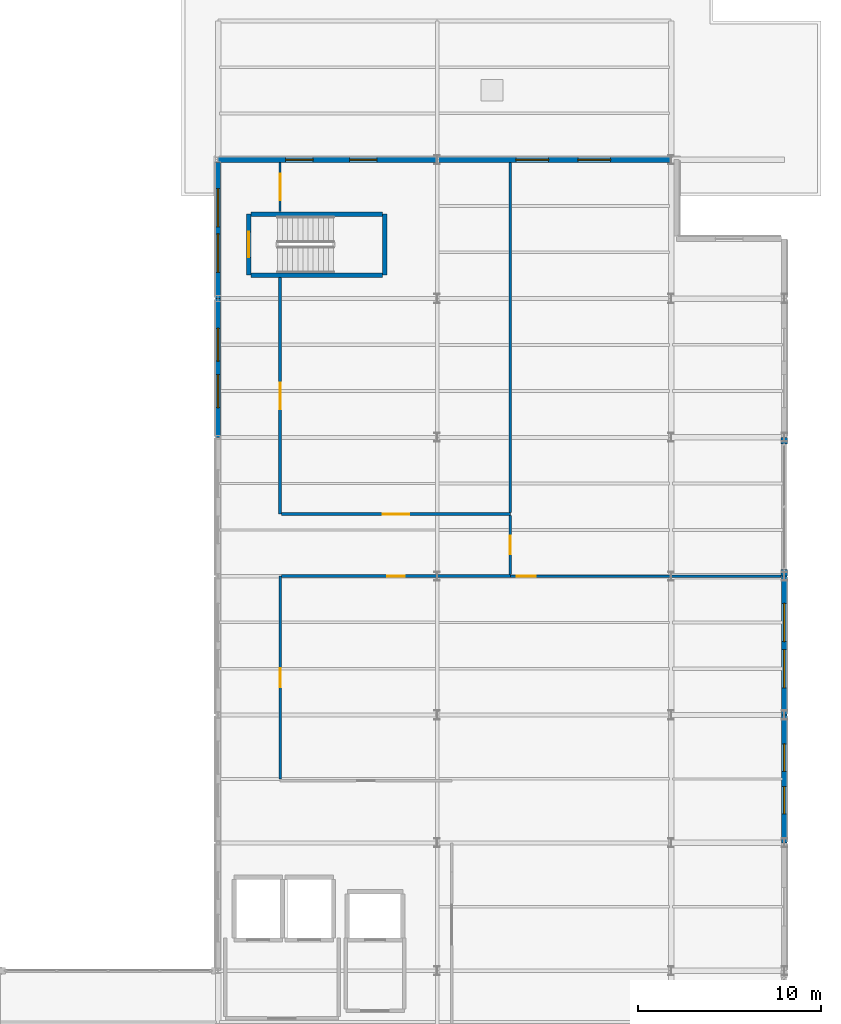
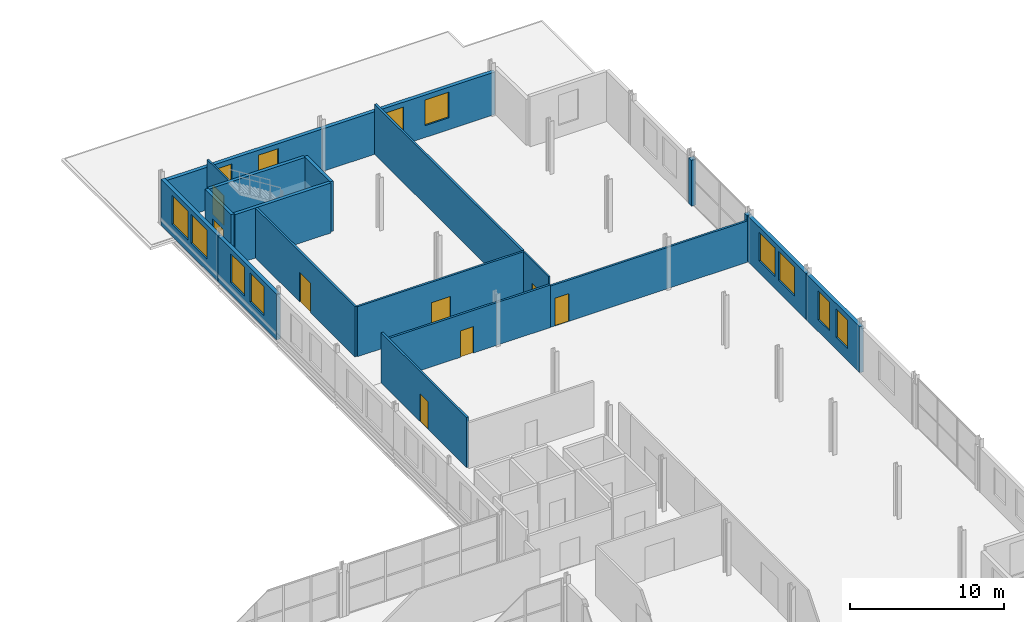
# One storey, part 88 of 101: 20 walls, 12 windows, 8 doors, 20 openings.
"""IFC4 building model written with IfcOpenShell, lengths in metres."""

from ifc_helpers import new_model, si_unit, direction, frame, frame_2d, origin, place, context, subcontext, project, spatial, rectangle, extrude, material, layer, layer_set, type_object, element, fill, save


model = new_model("IFC4")

# Units and contexts
model_context = context("Model", 3, precision=1e-05, world=origin(), true_north=direction((0.0, 1.0)))
body_context = subcontext(model_context, "Body", "Model", "MODEL_VIEW")
ifc_project = project(units=[si_unit("LENGTHUNIT", "METRE"), si_unit("AREAUNIT", "SQUARE_METRE"), si_unit("VOLUMEUNIT", "CUBIC_METRE"), si_unit("PLANEANGLEUNIT", "RADIAN"), si_unit("MASSUNIT", "GRAM", prefix="KILO")], contexts=[model_context])

# Site, building, storey
site_placement = place(None, origin())
site = spatial("IfcSite", under=ifc_project, at=site_placement, CompositionType="ELEMENT")
building_placement = place(site_placement, origin())
building = spatial("IfcBuilding", under=site, at=building_placement, Name="Vekula Escarpment Museum", CompositionType="ELEMENT")
storey_placement = place(building_placement, frame((0.0, 0.0, 18.0)))
storey = spatial("IfcBuildingStorey", under=building, at=storey_placement, Name="L04", CompositionType="ELEMENT", Elevation=18.0)

# Walls
ifc_material_1 = material(Name="Inkisi arkosic sandstone masonry", Category="masonry")
ifc_layer_1 = layer(ifc_material_1, 0.35009765625)
ifc_layer_set_1 = layer_set([ifc_layer_1], Name="Inkisi arkosic sandstone masonry")
wall_type_1 = type_object("IfcWallType", Name="WL-ALM-350", PredefinedType="SOLIDWALL", material=ifc_layer_set_1)
for number, where, z_axis, x_axis, name in (
    (1, (198.0, 98.0, 0.0), (0.0, 0.0, 1.0), (0.0, 1.0, 0.0), "Facade Jamb Pier L04-0735A"),
    (2, (198.0, 105.239990234375, 0.0), (0.0, 0.0, 1.0), (0.0, 1.0, 0.0), "Facade Jamb Pier L04-0736B"),
):
    element("IfcWall", number, at=place(storey_placement, frame(where, z_axis=z_axis, x_axis=x_axis)), inside=storey, type_object=wall_type_1, Name=name, PredefinedType="SOLIDWALL", context=body_context, shape_type="SweptSolid", body=[
        extrude(rectangle(XDim=0.360107421875, YDim=0.35009765625, at=frame_2d((0.18017578125, 0.0))), origin(), (0.0, 0.0, 1.0), 3.64501953125),
    ])

# Wall, opening, door
ifc_material_2 = material(Name="Concrete C35/45", Category="concrete")
ifc_layer_2 = layer(ifc_material_2, 0.25)
ifc_layer_set_2 = layer_set([ifc_layer_2], Name="Concrete C35/45")
wall_type_2 = type_object("IfcWallType", Name="WL-CORE-250", PredefinedType="SHEAR", material=ifc_layer_set_2)
wall_1_placement = place(storey_placement, frame((168.675048828125, 114.47509765625, 0.0), z_axis=(0.0, 0.0, 1.0), x_axis=(0.0, 1.0, 0.0)))
wall_1 = element("IfcWall", 3, at=wall_1_placement, inside=storey, type_object=wall_type_2, Name="Stair Core Wall ST-05 L04 W", PredefinedType="SHEAR", context=body_context, shape_type="SweptSolid", body=[
    extrude(rectangle(XDim=3.349853515625, YDim=0.25, at=frame_2d((1.6748046875, 0.0))), origin(), (0.0, 0.0, 1.0), 3.97998046875),
])
opening_1_placement = place(wall_1_placement, frame((0.97509765625, 0.0, 0.0)))
opening_1 = element("IfcOpeningElement", 4, at=opening_1_placement, cuts=wall_1, Name="Opening DR-FD60", PredefinedType="OPENING", context=body_context, shape_type="SweptSolid", body=[
    extrude(rectangle(XDim=1.39990234375, YDim=2.199951171875, at=frame_2d((0.699951171875, 1.10009765625))), frame((0.0, 0.135009765625, 0.0), z_axis=(0.0, -1.0, 0.0), x_axis=(1.0, 0.0, 0.0)), (0.0, 0.0, 1.0), 0.27001953125),
])
ifc_material_3 = material(Name="Fire-rated steel stair door", Category="steel")
door_type_1 = type_object("IfcDoorType", Name="DR-STAIR-1400x2200", OperationType="NOTDEFINED", PredefinedType="DOOR", material=ifc_material_3)
door_1_placement = place(opening_1_placement, origin())
door_1 = element("IfcDoor", 5, at=door_1_placement, inside=storey, type_object=door_type_1, Name="Protected Exit Stair Door ST-05 L04", OperationType="SINGLE_SWING_LEFT", OverallHeight=2.199951171875, OverallWidth=1.39990234375, PredefinedType="DOOR", context=body_context, shape_type="SweptSolid", body=[
    extrude(rectangle(XDim=1.39990234375, YDim=2.199951171875, at=frame_2d((0.699951171875, 1.10009765625))), frame((0.0, 0.02490234375, 0.0), z_axis=(0.0, -1.0, 0.0), x_axis=(1.0, 0.0, 0.0)), (0.0, 0.0, 1.0), 0.050048828125),
])
fill(opening_1, door_1)

# Walls
wall_2_placement = place(storey_placement, frame((176.125, 114.47509765625, 0.0), z_axis=(0.0, 0.0, 1.0), x_axis=(0.0, 1.0, 0.0)))
element("IfcWall", 6, at=wall_2_placement, inside=storey, type_object=wall_type_2, Name="Stair Core Wall ST-05 L04 E", PredefinedType="SHEAR", context=body_context, shape_type="SweptSolid", body=[
    extrude(rectangle(XDim=3.349853515625, YDim=0.25, at=frame_2d((1.6748046875, 0.0))), origin(), (0.0, 0.0, 1.0), 3.97998046875),
])
for number, where, z_axis, x_axis, name in (
    (7, (168.803955078125, 114.47509765625, 0.0), (0.0, 0.0, 1.0), (1.0, 0.0, 0.0), "Stair Core Wall ST-05 L04 S"),
    (8, (168.803955078125, 117.824951171875, 0.0), (0.0, 0.0, 1.0), (1.0, 0.0, 0.0), "Stair Core Wall ST-05 L04 N"),
):
    element("IfcWall", number, at=place(storey_placement, frame(where, z_axis=z_axis, x_axis=x_axis)), inside=storey, type_object=wall_type_2, Name=name, PredefinedType="SHEAR", context=body_context, shape_type="SweptSolid", body=[
        extrude(rectangle(XDim=7.192138671875, YDim=0.25, at=frame_2d((3.59619140625, 0.0))), origin(), (0.0, 0.0, 1.0), 3.97998046875),
    ])

# Wall, openings, windows
ifc_material_4 = material(Name="Inkisi arkosic sandstone masonry", Category="masonry")
ifc_layer_3 = layer(ifc_material_4, 0.280029296875)
ifc_layer_set_3 = layer_set([ifc_layer_3], Name="Inkisi arkosic sandstone masonry")
wall_type_3 = type_object("IfcWallType", Name="WL-CUM-280", PredefinedType="SOLIDWALL", material=ifc_layer_set_3)
wall_3_placement = place(storey_placement, frame((198.0, 90.39990234375, 0.0), z_axis=(0.0, 0.0, 1.0), x_axis=(0.0, -1.0, 0.0)))
wall_3 = element("IfcWall", 9, at=wall_3_placement, inside=storey, type_object=wall_type_3, Name="Exterior Wall WL-EXT-L04-0733", PredefinedType="SOLIDWALL", context=body_context, shape_type="SweptSolid", body=[
    extrude(rectangle(XDim=7.0, YDim=0.280029296875, at=frame_2d((3.5, 0.0))), origin(), (0.0, 0.0, 1.0), 3.64501953125),
])
opening_2_placement = place(wall_3_placement, frame((1.583251953125, 0.0, 0.949951171875)))
opening_2 = element("IfcOpeningElement", 10, at=opening_2_placement, cuts=wall_3, Name="Opening WN-06", PredefinedType="OPENING", context=body_context, shape_type="SweptSolid", body=[
    extrude(rectangle(XDim=1.5, YDim=2.2900390625, at=frame_2d((0.75, 1.14501953125))), frame((0.0, 0.14990234375, 0.0), z_axis=(0.0, -1.0, 0.0), x_axis=(1.0, 0.0, 0.0)), (0.0, 0.0, 1.0), 0.300048828125),
])
opening_3_placement = place(wall_3_placement, frame((3.916748046875, 0.0, 0.949951171875)))
opening_3 = element("IfcOpeningElement", 11, at=opening_3_placement, cuts=wall_3, Name="Opening WN-06", PredefinedType="OPENING", context=body_context, shape_type="SweptSolid", body=[
    extrude(rectangle(XDim=1.5, YDim=2.2900390625, at=frame_2d((0.75, 1.14501953125))), frame((0.0, 0.14990234375, 0.0), z_axis=(0.0, -1.0, 0.0), x_axis=(1.0, 0.0, 0.0)), (0.0, 0.0, 1.0), 0.300048828125),
])
ifc_material_5 = material(Name="Double solar-control low-E glass", Category="glass")
window_type_1 = type_object("IfcWindowType", Name="WN-CUMBA-15x24", PartitioningType="SINGLE_PANEL", PredefinedType="WINDOW", material=ifc_material_5)
window_1_placement = place(opening_2_placement, origin())
window_1 = element("IfcWindow", 12, at=window_1_placement, inside=storey, type_object=window_type_1, Name="Window L04-0379", OverallHeight=2.2900390625, OverallWidth=1.5, PartitioningType="SINGLE_PANEL", PredefinedType="WINDOW", context=body_context, shape_type="SweptSolid", body=[
    extrude(rectangle(XDim=1.5, YDim=2.2900390625, at=frame_2d((0.75, 1.14501953125))), frame((0.0, 0.030029296875, 0.0), z_axis=(0.0, -1.0, 0.0), x_axis=(1.0, 0.0, 0.0)), (0.0, 0.0, 1.0), 0.06005859375),
])
fill(opening_2, window_1)
window_2_placement = place(opening_3_placement, origin())
window_2 = element("IfcWindow", 13, at=window_2_placement, inside=storey, type_object=window_type_1, Name="Window L04-0380", OverallHeight=2.2900390625, OverallWidth=1.5, PartitioningType="SINGLE_PANEL", PredefinedType="WINDOW", context=body_context, shape_type="SweptSolid", body=[
    extrude(rectangle(XDim=1.5, YDim=2.2900390625, at=frame_2d((0.75, 1.14501953125))), frame((0.0, 0.030029296875, 0.0), z_axis=(0.0, -1.0, 0.0), x_axis=(1.0, 0.0, 0.0)), (0.0, 0.0, 1.0), 0.06005859375),
])
fill(opening_3, window_2)

wall_4_placement = place(storey_placement, frame((198.0, 98.0, 0.0), z_axis=(0.0, 0.0, 1.0), x_axis=(0.0, -1.0, 0.0)))
wall_4 = element("IfcWall", 14, at=wall_4_placement, inside=storey, type_object=wall_type_3, Name="Exterior Wall WL-EXT-L04-0734", PredefinedType="SOLIDWALL", context=body_context, shape_type="SweptSolid", body=[
    extrude(rectangle(XDim=7.60009765625, YDim=0.280029296875, at=frame_2d((3.800048828125, 0.0))), origin(), (0.0, 0.0, 1.0), 3.64501953125),
])
opening_4_placement = place(wall_4_placement, frame((1.4833984375, 0.0, 0.949951171875)))
opening_4 = element("IfcOpeningElement", 15, at=opening_4_placement, cuts=wall_4, Name="Opening WN-08", PredefinedType="OPENING", context=body_context, shape_type="SweptSolid", body=[
    extrude(rectangle(XDim=2.10009765625, YDim=2.2900390625, at=frame_2d((1.050048828125, 1.14501953125))), frame((0.0, 0.14990234375, 0.0), z_axis=(0.0, -1.0, 0.0), x_axis=(1.0, 0.0, 0.0)), (0.0, 0.0, 1.0), 0.300048828125),
])
opening_5_placement = place(wall_4_placement, frame((4.0166015625, 0.0, 0.949951171875)))
opening_5 = element("IfcOpeningElement", 16, at=opening_5_placement, cuts=wall_4, Name="Opening WN-08", PredefinedType="OPENING", context=body_context, shape_type="SweptSolid", body=[
    extrude(rectangle(XDim=2.10009765625, YDim=2.2900390625, at=frame_2d((1.050048828125, 1.14501953125))), frame((0.0, 0.14990234375, 0.0), z_axis=(0.0, -1.0, 0.0), x_axis=(1.0, 0.0, 0.0)), (0.0, 0.0, 1.0), 0.300048828125),
])
ifc_material_6 = material(Name="Double solar-control low-E glass", Category="glass")
window_type_2 = type_object("IfcWindowType", Name="WN-CUMBA-21x28", PartitioningType="DOUBLE_PANEL_VERTICAL", PredefinedType="WINDOW", material=ifc_material_6)
window_3_placement = place(opening_4_placement, origin())
window_3 = element("IfcWindow", 17, at=window_3_placement, inside=storey, type_object=window_type_2, Name="Window L04-0381", OverallHeight=2.2900390625, OverallWidth=2.10009765625, PartitioningType="SINGLE_PANEL", PredefinedType="WINDOW", context=body_context, shape_type="SweptSolid", body=[
    extrude(rectangle(XDim=2.10009765625, YDim=2.2900390625, at=frame_2d((1.050048828125, 1.14501953125))), frame((0.0, 0.030029296875, 0.0), z_axis=(0.0, -1.0, 0.0), x_axis=(1.0, 0.0, 0.0)), (0.0, 0.0, 1.0), 0.06005859375),
])
fill(opening_4, window_3)
window_4_placement = place(opening_5_placement, origin())
window_4 = element("IfcWindow", 18, at=window_4_placement, inside=storey, type_object=window_type_2, Name="Window L04-0382", OverallHeight=2.2900390625, OverallWidth=2.10009765625, PartitioningType="SINGLE_PANEL", PredefinedType="WINDOW", context=body_context, shape_type="SweptSolid", body=[
    extrude(rectangle(XDim=2.10009765625, YDim=2.2900390625, at=frame_2d((1.050048828125, 1.14501953125))), frame((0.0, 0.030029296875, 0.0), z_axis=(0.0, -1.0, 0.0), x_axis=(1.0, 0.0, 0.0)), (0.0, 0.0, 1.0), 0.06005859375),
])
fill(opening_5, window_4)

wall_5_placement = place(storey_placement, frame((179.0, 120.800048828125, 0.0), z_axis=(0.0, 0.0, 1.0), x_axis=(1.0, 0.0, 0.0)))
wall_5 = element("IfcWall", 19, at=wall_5_placement, inside=storey, type_object=wall_type_3, Name="Exterior Wall WL-EXT-L04-0741", PredefinedType="SOLIDWALL", context=body_context, shape_type="SweptSolid", body=[
    extrude(rectangle(XDim=12.966064453125, YDim=0.280029296875, at=frame_2d((6.48291015625, 0.0))), origin(), (0.0, 0.0, 1.0), 3.385009765625),
])
opening_6_placement = place(wall_5_placement, frame((4.300048828125, 0.0, 0.949951171875)))
opening_6 = element("IfcOpeningElement", 20, at=opening_6_placement, cuts=wall_5, Name="Opening WN-07", PredefinedType="OPENING", context=body_context, shape_type="SweptSolid", body=[
    extrude(rectangle(XDim=1.800048828125, YDim=2.0400390625, at=frame_2d((0.89990234375, 1.02001953125))), frame((0.0, 0.14990234375, 0.0), z_axis=(0.0, -1.0, 0.0), x_axis=(1.0, 0.0, 0.0)), (0.0, 0.0, 1.0), 0.300048828125),
])
opening_7_placement = place(wall_5_placement, frame((7.699951171875, 0.0, 0.949951171875)))
opening_7 = element("IfcOpeningElement", 21, at=opening_7_placement, cuts=wall_5, Name="Opening WN-07", PredefinedType="OPENING", context=body_context, shape_type="SweptSolid", body=[
    extrude(rectangle(XDim=1.800048828125, YDim=2.0400390625, at=frame_2d((0.89990234375, 1.02001953125))), frame((0.0, 0.14990234375, 0.0), z_axis=(0.0, -1.0, 0.0), x_axis=(1.0, 0.0, 0.0)), (0.0, 0.0, 1.0), 0.300048828125),
])
ifc_material_7 = material(Name="Double solar-control low-E glass", Category="glass")
window_type_3 = type_object("IfcWindowType", Name="WN-CUMBA-18x26", PartitioningType="DOUBLE_PANEL_VERTICAL", PredefinedType="WINDOW", material=ifc_material_7)
window_5_placement = place(opening_6_placement, origin())
window_5 = element("IfcWindow", 22, at=window_5_placement, inside=storey, type_object=window_type_3, Name="Window L04-0386", OverallHeight=2.0400390625, OverallWidth=1.800048828125, PartitioningType="SINGLE_PANEL", PredefinedType="WINDOW", context=body_context, shape_type="SweptSolid", body=[
    extrude(rectangle(XDim=1.800048828125, YDim=2.0400390625, at=frame_2d((0.89990234375, 1.02001953125))), frame((0.0, 0.030029296875, 0.0), z_axis=(0.0, -1.0, 0.0), x_axis=(1.0, 0.0, 0.0)), (0.0, 0.0, 1.0), 0.06005859375),
])
fill(opening_6, window_5)
window_6_placement = place(opening_7_placement, origin())
window_6 = element("IfcWindow", 23, at=window_6_placement, inside=storey, type_object=window_type_3, Name="Window L04-0387", OverallHeight=2.0400390625, OverallWidth=1.800048828125, PartitioningType="SINGLE_PANEL", PredefinedType="WINDOW", context=body_context, shape_type="SweptSolid", body=[
    extrude(rectangle(XDim=1.800048828125, YDim=2.0400390625, at=frame_2d((0.89990234375, 1.02001953125))), frame((0.0, 0.030029296875, 0.0), z_axis=(0.0, -1.0, 0.0), x_axis=(1.0, 0.0, 0.0)), (0.0, 0.0, 1.0), 0.06005859375),
])
fill(opening_7, window_6)

wall_6_placement = place(storey_placement, frame((167.0, 120.800048828125, 0.0), z_axis=(0.0, 0.0, 1.0), x_axis=(1.0, 0.0, 0.0)))
wall_6 = element("IfcWall", 24, at=wall_6_placement, inside=storey, type_object=wall_type_3, Name="Exterior Wall WL-EXT-L04-0742", PredefinedType="SOLIDWALL", context=body_context, shape_type="SweptSolid", body=[
    extrude(rectangle(XDim=12.0, YDim=0.280029296875, at=frame_2d((6.0, 0.0))), origin(), (0.0, 0.0, 1.0), 3.385009765625),
])
opening_8_placement = place(wall_6_placement, frame((3.699951171875, 0.0, 0.949951171875)))
opening_8 = element("IfcOpeningElement", 25, at=opening_8_placement, cuts=wall_6, Name="Opening WN-06", PredefinedType="OPENING", context=body_context, shape_type="SweptSolid", body=[
    extrude(rectangle(XDim=1.5, YDim=2.0400390625, at=frame_2d((0.75, 1.02001953125))), frame((0.0, 0.14990234375, 0.0), z_axis=(0.0, -1.0, 0.0), x_axis=(1.0, 0.0, 0.0)), (0.0, 0.0, 1.0), 0.300048828125),
])
opening_9_placement = place(wall_6_placement, frame((7.199951171875, 0.0, 0.949951171875)))
opening_9 = element("IfcOpeningElement", 26, at=opening_9_placement, cuts=wall_6, Name="Opening WN-06", PredefinedType="OPENING", context=body_context, shape_type="SweptSolid", body=[
    extrude(rectangle(XDim=1.5, YDim=2.0400390625, at=frame_2d((0.75, 1.02001953125))), frame((0.0, 0.14990234375, 0.0), z_axis=(0.0, -1.0, 0.0), x_axis=(1.0, 0.0, 0.0)), (0.0, 0.0, 1.0), 0.300048828125),
])
window_7_placement = place(opening_8_placement, origin())
window_7 = element("IfcWindow", 27, at=window_7_placement, inside=storey, type_object=window_type_1, Name="Window L04-0388", OverallHeight=2.0400390625, OverallWidth=1.5, PartitioningType="SINGLE_PANEL", PredefinedType="WINDOW", context=body_context, shape_type="SweptSolid", body=[
    extrude(rectangle(XDim=1.5, YDim=2.0400390625, at=frame_2d((0.75, 1.02001953125))), frame((0.0, 0.030029296875, 0.0), z_axis=(0.0, -1.0, 0.0), x_axis=(1.0, 0.0, 0.0)), (0.0, 0.0, 1.0), 0.06005859375),
])
fill(opening_8, window_7)
window_8_placement = place(opening_9_placement, origin())
window_8 = element("IfcWindow", 28, at=window_8_placement, inside=storey, type_object=window_type_1, Name="Window L04-0389", OverallHeight=2.0400390625, OverallWidth=1.5, PartitioningType="SINGLE_PANEL", PredefinedType="WINDOW", context=body_context, shape_type="SweptSolid", body=[
    extrude(rectangle(XDim=1.5, YDim=2.0400390625, at=frame_2d((0.75, 1.02001953125))), frame((0.0, 0.030029296875, 0.0), z_axis=(0.0, -1.0, 0.0), x_axis=(1.0, 0.0, 0.0)), (0.0, 0.0, 1.0), 0.06005859375),
])
fill(opening_9, window_8)

wall_7_placement = place(storey_placement, frame((167.0, 113.199951171875, 0.0), z_axis=(0.0, 0.0, 1.0), x_axis=(0.0, 1.0, 0.0)))
wall_7 = element("IfcWall", 29, at=wall_7_placement, inside=storey, type_object=wall_type_3, Name="Exterior Wall WL-EXT-L04-0743", PredefinedType="SOLIDWALL", context=body_context, shape_type="SweptSolid", body=[
    extrude(rectangle(XDim=7.4560546875, YDim=0.280029296875, at=frame_2d((3.72802734375, 0.0))), origin(), (0.0, 0.0, 1.0), 3.64501953125),
])
opening_10_placement = place(wall_7_placement, frame((1.435302734375, 0.0, 0.949951171875)))
opening_10 = element("IfcOpeningElement", 30, at=opening_10_placement, cuts=wall_7, Name="Opening WN-08", PredefinedType="OPENING", context=body_context, shape_type="SweptSolid", body=[
    extrude(rectangle(XDim=2.10009765625, YDim=2.2900390625, at=frame_2d((1.050048828125, 1.14501953125))), frame((0.0, 0.14990234375, 0.0), z_axis=(0.0, -1.0, 0.0), x_axis=(1.0, 0.0, 0.0)), (0.0, 0.0, 1.0), 0.300048828125),
])
opening_11_placement = place(wall_7_placement, frame((3.920654296875, 0.0, 0.949951171875)))
opening_11 = element("IfcOpeningElement", 31, at=opening_11_placement, cuts=wall_7, Name="Opening WN-08", PredefinedType="OPENING", context=body_context, shape_type="SweptSolid", body=[
    extrude(rectangle(XDim=2.10009765625, YDim=2.2900390625, at=frame_2d((1.050048828125, 1.14501953125))), frame((0.0, 0.14990234375, 0.0), z_axis=(0.0, -1.0, 0.0), x_axis=(1.0, 0.0, 0.0)), (0.0, 0.0, 1.0), 0.300048828125),
])
window_9_placement = place(opening_10_placement, origin())
window_9 = element("IfcWindow", 32, at=window_9_placement, inside=storey, type_object=window_type_2, Name="Window L04-0390", OverallHeight=2.2900390625, OverallWidth=2.10009765625, PartitioningType="SINGLE_PANEL", PredefinedType="WINDOW", context=body_context, shape_type="SweptSolid", body=[
    extrude(rectangle(XDim=2.10009765625, YDim=2.2900390625, at=frame_2d((1.050048828125, 1.14501953125))), frame((0.0, 0.030029296875, 0.0), z_axis=(0.0, -1.0, 0.0), x_axis=(1.0, 0.0, 0.0)), (0.0, 0.0, 1.0), 0.06005859375),
])
fill(opening_10, window_9)
window_10_placement = place(opening_11_placement, origin())
window_10 = element("IfcWindow", 33, at=window_10_placement, inside=storey, type_object=window_type_2, Name="Window L04-0391", OverallHeight=2.2900390625, OverallWidth=2.10009765625, PartitioningType="SINGLE_PANEL", PredefinedType="WINDOW", context=body_context, shape_type="SweptSolid", body=[
    extrude(rectangle(XDim=2.10009765625, YDim=2.2900390625, at=frame_2d((1.050048828125, 1.14501953125))), frame((0.0, 0.030029296875, 0.0), z_axis=(0.0, -1.0, 0.0), x_axis=(1.0, 0.0, 0.0)), (0.0, 0.0, 1.0), 0.06005859375),
])
fill(opening_11, window_10)

wall_8_placement = place(storey_placement, frame((167.0, 105.60009765625, 0.0), z_axis=(0.0, 0.0, 1.0), x_axis=(0.0, 1.0, 0.0)))
wall_8 = element("IfcWall", 34, at=wall_8_placement, inside=storey, type_object=wall_type_3, Name="Exterior Wall WL-EXT-L04-0744", PredefinedType="SOLIDWALL", context=body_context, shape_type="SweptSolid", body=[
    extrude(rectangle(XDim=7.599853515625, YDim=0.280029296875, at=frame_2d((3.7998046875, 0.0))), origin(), (0.0, 0.0, 1.0), 3.64501953125),
])
opening_12_placement = place(wall_8_placement, frame((1.63330078125, 0.0, 0.949951171875)))
opening_12 = element("IfcOpeningElement", 35, at=opening_12_placement, cuts=wall_8, Name="Opening WN-07", PredefinedType="OPENING", context=body_context, shape_type="SweptSolid", body=[
    extrude(rectangle(XDim=1.800048828125, YDim=2.2900390625, at=frame_2d((0.89990234375, 1.14501953125))), frame((0.0, 0.14990234375, 0.0), z_axis=(0.0, -1.0, 0.0), x_axis=(1.0, 0.0, 0.0)), (0.0, 0.0, 1.0), 0.300048828125),
])
opening_13_placement = place(wall_8_placement, frame((4.166748046875, 0.0, 0.949951171875)))
opening_13 = element("IfcOpeningElement", 36, at=opening_13_placement, cuts=wall_8, Name="Opening WN-07", PredefinedType="OPENING", context=body_context, shape_type="SweptSolid", body=[
    extrude(rectangle(XDim=1.800048828125, YDim=2.2900390625, at=frame_2d((0.89990234375, 1.14501953125))), frame((0.0, 0.14990234375, 0.0), z_axis=(0.0, -1.0, 0.0), x_axis=(1.0, 0.0, 0.0)), (0.0, 0.0, 1.0), 0.300048828125),
])
window_11_placement = place(opening_12_placement, origin())
window_11 = element("IfcWindow", 37, at=window_11_placement, inside=storey, type_object=window_type_3, Name="Window L04-0392", OverallHeight=2.2900390625, OverallWidth=1.800048828125, PartitioningType="SINGLE_PANEL", PredefinedType="WINDOW", context=body_context, shape_type="SweptSolid", body=[
    extrude(rectangle(XDim=1.800048828125, YDim=2.2900390625, at=frame_2d((0.89990234375, 1.14501953125))), frame((0.0, 0.030029296875, 0.0), z_axis=(0.0, -1.0, 0.0), x_axis=(1.0, 0.0, 0.0)), (0.0, 0.0, 1.0), 0.06005859375),
])
fill(opening_12, window_11)
window_12_placement = place(opening_13_placement, origin())
window_12 = element("IfcWindow", 38, at=window_12_placement, inside=storey, type_object=window_type_3, Name="Window L04-0393", OverallHeight=2.2900390625, OverallWidth=1.800048828125, PartitioningType="SINGLE_PANEL", PredefinedType="WINDOW", context=body_context, shape_type="SweptSolid", body=[
    extrude(rectangle(XDim=1.800048828125, YDim=2.2900390625, at=frame_2d((0.89990234375, 1.14501953125))), frame((0.0, 0.030029296875, 0.0), z_axis=(0.0, -1.0, 0.0), x_axis=(1.0, 0.0, 0.0)), (0.0, 0.0, 1.0), 0.06005859375),
])
fill(opening_13, window_12)

# Wall, opening, door
ifc_material_8 = material(Name="Lightweight studio partition", Category="gypsum")
ifc_layer_4 = layer(ifc_material_8, 0.1201171875)
ifc_layer_set_4 = layer_set([ifc_layer_4], Name="Lightweight studio partition")
wall_type_4 = type_object("IfcWallType", Name="WL-PART-120", PredefinedType="PARTITIONING", material=ifc_layer_set_4)
wall_9_placement = place(storey_placement, frame((170.39990234375, 117.9541015625, 0.0), z_axis=(0.0, 0.0, 1.0), x_axis=(0.0, 1.0, 0.0)))
wall_9 = element("IfcWall", 39, at=wall_9_placement, inside=storey, type_object=wall_type_4, Name="Interior Partition WL-INT-L04-0054", PredefinedType="PARTITIONING", context=body_context, shape_type="SweptSolid", body=[
    extrude(rectangle(XDim=2.701904296875, YDim=0.1201171875, at=frame_2d((1.35107421875, 0.0))), origin(), (0.0, 0.0, 1.0), 3.97998046875),
])
opening_14_placement = place(wall_9_placement, frame((0.6259765625, 0.0, 0.0)))
opening_14 = element("IfcOpeningElement", 40, at=opening_14_placement, cuts=wall_9, Name="Opening DR-LB14", PredefinedType="OPENING", context=body_context, shape_type="SweptSolid", body=[
    extrude(rectangle(XDim=1.449951171875, YDim=2.35009765625, at=frame_2d((0.72509765625, 1.175048828125))), frame((0.0, 0.070068359375, 0.0), z_axis=(0.0, -1.0, 0.0), x_axis=(1.0, 0.0, 0.0)), (0.0, 0.0, 1.0), 0.14013671875),
])
ifc_material_9 = material(Name="Glazed timber library door", Category="wood")
door_type_2 = type_object("IfcDoorType", Name="DR-LIB-1450x2350", OperationType="NOTDEFINED", PredefinedType="DOOR", material=ifc_material_9)
door_2_placement = place(opening_14_placement, origin())
door_2 = element("IfcDoor", 41, at=door_2_placement, inside=storey, type_object=door_type_2, Name="Interior Door L04-049", OperationType="SINGLE_SWING_LEFT", OverallHeight=2.35009765625, OverallWidth=1.449951171875, PredefinedType="DOOR", context=body_context, shape_type="SweptSolid", body=[
    extrude(rectangle(XDim=1.449951171875, YDim=2.35009765625, at=frame_2d((0.72509765625, 1.175048828125))), frame((0.0, 0.02490234375, 0.0), z_axis=(0.0, -1.0, 0.0), x_axis=(1.0, 0.0, 0.0)), (0.0, 0.0, 1.0), 0.050048828125),
])
fill(opening_14, door_2)

wall_10_placement = place(storey_placement, frame((183.0, 98.083984375, 0.0), z_axis=(0.0, 0.0, 1.0), x_axis=(0.0, 1.0, 0.0)))
wall_10 = element("IfcWall", 42, at=wall_10_placement, inside=storey, type_object=wall_type_4, Name="Interior Partition WL-INT-L04-0057", PredefinedType="PARTITIONING", context=body_context, shape_type="SweptSolid", body=[
    extrude(rectangle(XDim=3.237060546875, YDim=0.1201171875, at=frame_2d((1.61865234375, 0.0))), origin(), (0.0, 0.0, 1.0), 3.97998046875),
])
opening_15_placement = place(wall_10_placement, frame((1.118408203125, 0.0, 0.0)))
opening_15 = element("IfcOpeningElement", 43, at=opening_15_placement, cuts=wall_10, Name="Opening DR-OF10", PredefinedType="OPENING", context=body_context, shape_type="SweptSolid", body=[
    extrude(rectangle(XDim=1.0, YDim=2.14990234375, at=frame_2d((0.5, 1.074951171875))), frame((0.0, 0.070068359375, 0.0), z_axis=(0.0, -1.0, 0.0), x_axis=(1.0, 0.0, 0.0)), (0.0, 0.0, 1.0), 0.14013671875),
])
ifc_material_10 = material(Name="Solid core timber study door", Category="wood")
door_type_3 = type_object("IfcDoorType", Name="DR-OFF-1000x2150", OperationType="NOTDEFINED", PredefinedType="DOOR", material=ifc_material_10)
door_3_placement = place(opening_15_placement, origin())
door_3 = element("IfcDoor", 44, at=door_3_placement, inside=storey, type_object=door_type_3, Name="Interior Door L04-052", OperationType="SINGLE_SWING_RIGHT", OverallHeight=2.14990234375, OverallWidth=1.0, PredefinedType="DOOR", context=body_context, shape_type="SweptSolid", body=[
    extrude(rectangle(XDim=1.0, YDim=2.14990234375, at=frame_2d((0.5, 1.074951171875))), frame((0.0, 0.02490234375, 0.0), z_axis=(0.0, -1.0, 0.0), x_axis=(1.0, 0.0, 0.0)), (0.0, 0.0, 1.0), 0.050048828125),
])
fill(opening_15, door_3)

ifc_material_11 = material(Name="Gypsum board dry-lined partition", Category="gypsum")
ifc_layer_5 = layer(ifc_material_11, 0.14990234375)
ifc_layer_set_5 = layer_set([ifc_layer_5], Name="Gypsum board dry-lined partition")
wall_type_5 = type_object("IfcWallType", Name="WL-PART-150", PredefinedType="PARTITIONING", material=ifc_layer_set_5)
wall_11_placement = place(storey_placement, frame((170.39990234375, 86.884033203125, 0.0), z_axis=(0.0, 0.0, 1.0), x_axis=(0.0, 1.0, 0.0)))
wall_11 = element("IfcWall", 45, at=wall_11_placement, inside=storey, type_object=wall_type_5, Name="Interior Partition WL-INT-L04-0050", PredefinedType="PARTITIONING", context=body_context, shape_type="SweptSolid", body=[
    extrude(rectangle(XDim=11.115966796875, YDim=0.14990234375, at=frame_2d((5.55810546875, 0.0))), origin(), (0.0, 0.0, 1.0), 3.97998046875),
])
opening_16_placement = place(wall_11_placement, frame((5.032958984375, 0.0, 0.0)))
opening_16 = element("IfcOpeningElement", 46, at=opening_16_placement, cuts=wall_11, Name="Opening DR-CR10", PredefinedType="OPENING", context=body_context, shape_type="SweptSolid", body=[
    extrude(rectangle(XDim=1.050048828125, YDim=2.199951171875, at=frame_2d((0.52490234375, 1.10009765625))), frame((0.0, 0.0849609375, 0.0), z_axis=(0.0, -1.0, 0.0), x_axis=(1.0, 0.0, 0.0)), (0.0, 0.0, 1.0), 0.169921875),
])
ifc_material_12 = material(Name="Solid hardwood curatorial door", Category="wood")
door_type_4 = type_object("IfcDoorType", Name="DR-CUR-1050x2200", OperationType="NOTDEFINED", PredefinedType="DOOR", material=ifc_material_12)
door_4_placement = place(opening_16_placement, origin())
door_4 = element("IfcDoor", 47, at=door_4_placement, inside=storey, type_object=door_type_4, Name="Interior Door L04-045", OperationType="SINGLE_SWING_LEFT", OverallHeight=2.199951171875, OverallWidth=1.050048828125, PredefinedType="DOOR", context=body_context, shape_type="SweptSolid", body=[
    extrude(rectangle(XDim=1.050048828125, YDim=2.199951171875, at=frame_2d((0.52490234375, 1.10009765625))), frame((0.0, 0.02490234375, 0.0), z_axis=(0.0, -1.0, 0.0), x_axis=(1.0, 0.0, 0.0)), (0.0, 0.0, 1.0), 0.050048828125),
])
fill(opening_16, door_4)

wall_12_placement = place(storey_placement, frame((183.0, 98.0, 0.0), z_axis=(0.0, 0.0, 1.0), x_axis=(1.0, 0.0, 0.0)))
wall_12 = element("IfcWall", 48, at=wall_12_placement, inside=storey, type_object=wall_type_5, Name="Interior Partition WL-INT-L04-0053", PredefinedType="PARTITIONING", context=body_context, shape_type="SweptSolid", body=[
    extrude(rectangle(XDim=14.821044921875, YDim=0.14990234375, at=frame_2d((7.41064453125, 0.0))), origin(), (0.0, 0.0, 1.0), 3.284912109375),
])
opening_17_placement = place(wall_12_placement, frame((0.35009765625, 0.0, 0.0)))
opening_17 = element("IfcOpeningElement", 49, at=opening_17_placement, cuts=wall_12, Name="Opening DR-CR10", PredefinedType="OPENING", context=body_context, shape_type="SweptSolid", body=[
    extrude(rectangle(XDim=1.050048828125, YDim=2.199951171875, at=frame_2d((0.52490234375, 1.10009765625))), frame((0.0, 0.0849609375, 0.0), z_axis=(0.0, -1.0, 0.0), x_axis=(1.0, 0.0, 0.0)), (0.0, 0.0, 1.0), 0.169921875),
])
door_5_placement = place(opening_17_placement, origin())
door_5 = element("IfcDoor", 50, at=door_5_placement, inside=storey, type_object=door_type_4, Name="Interior Door L04-048", OperationType="SINGLE_SWING_RIGHT", OverallHeight=2.199951171875, OverallWidth=1.050048828125, PredefinedType="DOOR", context=body_context, shape_type="SweptSolid", body=[
    extrude(rectangle(XDim=1.050048828125, YDim=2.199951171875, at=frame_2d((0.52490234375, 1.10009765625))), frame((0.0, 0.02490234375, 0.0), z_axis=(0.0, -1.0, 0.0), x_axis=(1.0, 0.0, 0.0)), (0.0, 0.0, 1.0), 0.050048828125),
])
fill(opening_17, door_5)

wall_13_placement = place(storey_placement, frame((170.48388671875, 101.39990234375, 0.0), z_axis=(0.0, 0.0, 1.0), x_axis=(1.0, 0.0, 0.0)))
wall_13 = element("IfcWall", 51, at=wall_13_placement, inside=storey, type_object=wall_type_5, Name="Interior Partition WL-INT-L04-0056", PredefinedType="PARTITIONING", context=body_context, shape_type="SweptSolid", body=[
    extrude(rectangle(XDim=12.51611328125, YDim=0.14990234375, at=frame_2d((6.258056640625, 0.0))), origin(), (0.0, 0.0, 1.0), 3.97998046875),
])
opening_18_placement = place(wall_13_placement, frame((5.532958984375, 0.0, 0.0)))
opening_18 = element("IfcOpeningElement", 52, at=opening_18_placement, cuts=wall_13, Name="Opening DR-LB14", PredefinedType="OPENING", context=body_context, shape_type="SweptSolid", body=[
    extrude(rectangle(XDim=1.449951171875, YDim=2.35009765625, at=frame_2d((0.72509765625, 1.175048828125))), frame((0.0, 0.0849609375, 0.0), z_axis=(0.0, -1.0, 0.0), x_axis=(1.0, 0.0, 0.0)), (0.0, 0.0, 1.0), 0.169921875),
])
door_6_placement = place(opening_18_placement, origin())
door_6 = element("IfcDoor", 53, at=door_6_placement, inside=storey, type_object=door_type_2, Name="Interior Door L04-051", OperationType="SINGLE_SWING_LEFT", OverallHeight=2.35009765625, OverallWidth=1.449951171875, PredefinedType="DOOR", context=body_context, shape_type="SweptSolid", body=[
    extrude(rectangle(XDim=1.449951171875, YDim=2.35009765625, at=frame_2d((0.72509765625, 1.175048828125))), frame((0.0, 0.02490234375, 0.0), z_axis=(0.0, -1.0, 0.0), x_axis=(1.0, 0.0, 0.0)), (0.0, 0.0, 1.0), 0.050048828125),
])
fill(opening_18, door_6)

ifc_material_13 = material(Name="Gypsum board gallery partition", Category="gypsum")
ifc_layer_6 = layer(ifc_material_13, 0.159912109375)
ifc_layer_set_6 = layer_set([ifc_layer_6], Name="Gypsum board gallery partition")
wall_type_6 = type_object("IfcWallType", Name="WL-PART-160", PredefinedType="PARTITIONING", material=ifc_layer_set_6)
wall_14_placement = place(storey_placement, frame((170.47900390625, 98.0, 0.0), z_axis=(0.0, 0.0, 1.0), x_axis=(1.0, 0.0, 0.0)))
wall_14 = element("IfcWall", 54, at=wall_14_placement, inside=storey, type_object=wall_type_6, Name="Interior Partition WL-INT-L04-0052", PredefinedType="PARTITIONING", context=body_context, shape_type="SweptSolid", body=[
    extrude(rectangle(XDim=12.52099609375, YDim=0.159912109375, at=frame_2d((6.260498046875, 0.0))), origin(), (0.0, 0.0, 1.0), 3.385009765625),
])
opening_19_placement = place(wall_14_placement, frame((5.785400390625, 0.0, 0.0)))
opening_19 = element("IfcOpeningElement", 55, at=opening_19_placement, cuts=wall_14, Name="Opening DR-OF09", PredefinedType="OPENING", context=body_context, shape_type="SweptSolid", body=[
    extrude(rectangle(XDim=0.949951171875, YDim=2.10009765625, at=frame_2d((0.47509765625, 1.050048828125))), frame((0.0, 0.08984375, 0.0), z_axis=(0.0, -1.0, 0.0), x_axis=(1.0, 0.0, 0.0)), (0.0, 0.0, 1.0), 0.179931640625),
])
ifc_material_14 = material(Name="Solid core timber office door", Category="wood")
door_type_5 = type_object("IfcDoorType", Name="DR-OFF-0950x2100", OperationType="NOTDEFINED", PredefinedType="DOOR", material=ifc_material_14)
door_7_placement = place(opening_19_placement, origin())
door_7 = element("IfcDoor", 56, at=door_7_placement, inside=storey, type_object=door_type_5, Name="Interior Door L04-047", OperationType="SINGLE_SWING_LEFT", OverallHeight=2.10009765625, OverallWidth=0.949951171875, PredefinedType="DOOR", context=body_context, shape_type="SweptSolid", body=[
    extrude(rectangle(XDim=0.949951171875, YDim=2.10009765625, at=frame_2d((0.47509765625, 1.050048828125))), frame((0.0, 0.02490234375, 0.0), z_axis=(0.0, -1.0, 0.0), x_axis=(1.0, 0.0, 0.0)), (0.0, 0.0, 1.0), 0.050048828125),
])
fill(opening_19, door_7)

wall_15_placement = place(storey_placement, frame((170.39990234375, 101.39990234375, 0.0), z_axis=(0.0, 0.0, 1.0), x_axis=(0.0, 1.0, 0.0)))
wall_15 = element("IfcWall", 57, at=wall_15_placement, inside=storey, type_object=wall_type_6, Name="Interior Partition WL-INT-L04-0055", PredefinedType="PARTITIONING", context=body_context, shape_type="SweptSolid", body=[
    extrude(rectangle(XDim=12.946044921875, YDim=0.159912109375, at=frame_2d((6.47314453125, 0.0))), origin(), (0.0, 0.0, 1.0), 3.97998046875),
])
opening_20_placement = place(wall_15_placement, frame((5.748046875, 0.0, 0.0)))
opening_20 = element("IfcOpeningElement", 58, at=opening_20_placement, cuts=wall_15, Name="Opening DR-LB14", PredefinedType="OPENING", context=body_context, shape_type="SweptSolid", body=[
    extrude(rectangle(XDim=1.449951171875, YDim=2.35009765625, at=frame_2d((0.72509765625, 1.175048828125))), frame((0.0, 0.08984375, 0.0), z_axis=(0.0, -1.0, 0.0), x_axis=(1.0, 0.0, 0.0)), (0.0, 0.0, 1.0), 0.179931640625),
])
door_8_placement = place(opening_20_placement, origin())
door_8 = element("IfcDoor", 59, at=door_8_placement, inside=storey, type_object=door_type_2, Name="Interior Door L04-050", OperationType="SINGLE_SWING_RIGHT", OverallHeight=2.35009765625, OverallWidth=1.449951171875, PredefinedType="DOOR", context=body_context, shape_type="SweptSolid", body=[
    extrude(rectangle(XDim=1.449951171875, YDim=2.35009765625, at=frame_2d((0.72509765625, 1.175048828125))), frame((0.0, 0.02490234375, 0.0), z_axis=(0.0, -1.0, 0.0), x_axis=(1.0, 0.0, 0.0)), (0.0, 0.0, 1.0), 0.050048828125),
])
fill(opening_20, door_8)

# Wall
wall_16_placement = place(storey_placement, frame((183.0, 101.47900390625, 0.0), z_axis=(0.0, 0.0, 1.0), x_axis=(0.0, 1.0, 0.0)))
element("IfcWall", 60, at=wall_16_placement, inside=storey, type_object=wall_type_6, Name="Interior Partition WL-INT-L04-0058", PredefinedType="PARTITIONING", context=body_context, shape_type="SweptSolid", body=[
    extrude(rectangle(XDim=19.177001953125, YDim=0.159912109375, at=frame_2d((9.58837890625, 0.0))), origin(), (0.0, 0.0, 1.0), 3.97998046875),
])

save(model, "model.ifc")
